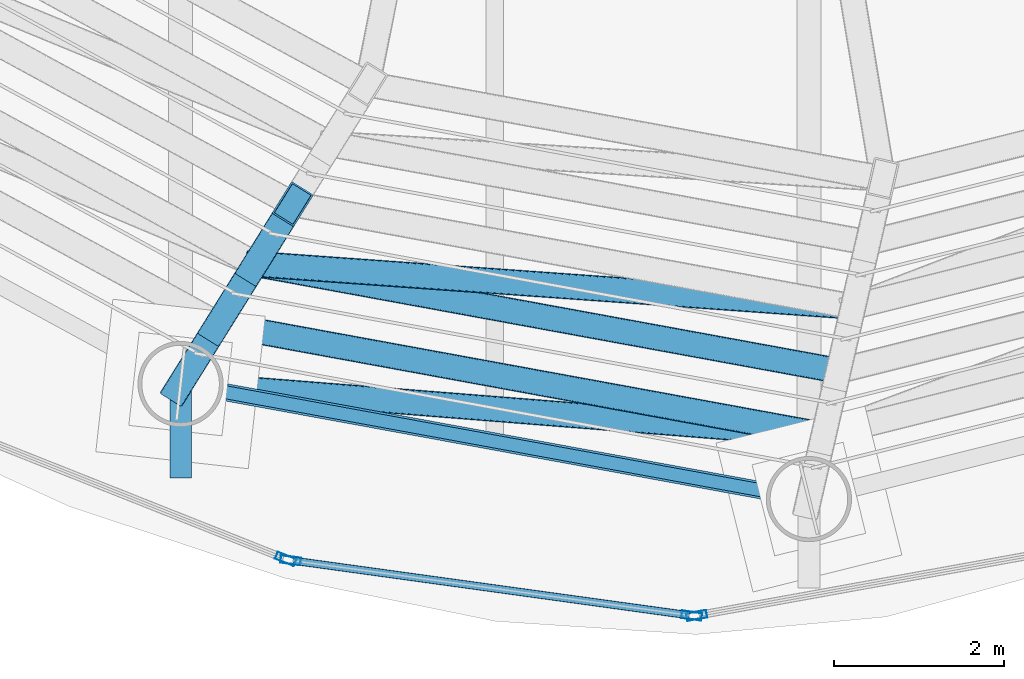
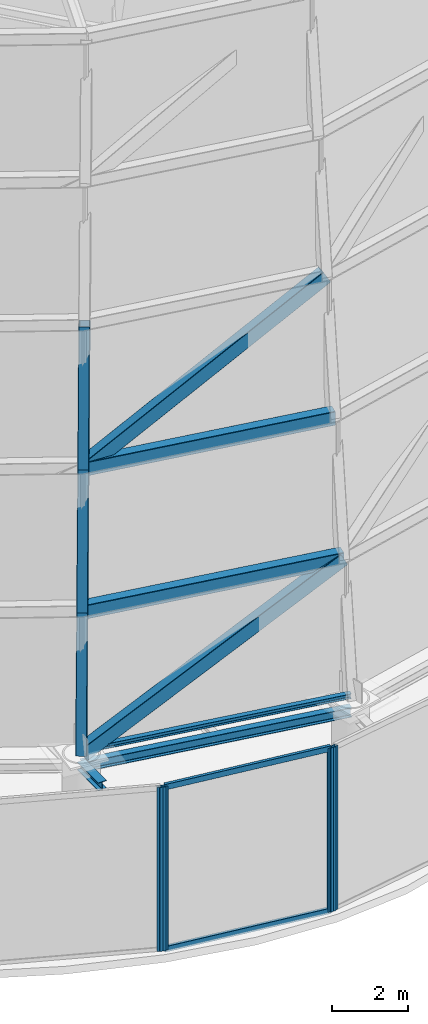
# One storey, part 7 of 40: 13 members, 3 beams, 3 elements without a shape of their own.
"""IFC4 building model written with IfcOpenShell, lengths in metres."""

from ifc_helpers import new_model, si_unit, direction, frame, origin, origin_2d, place, context, subcontext, project, spatial, hollow_rectangle, i_section, extrude, material, layer, layer_set, material_profile, profile_set, type_object, element, aggregate, save


model = new_model("IFC4")

# Units and contexts
model_context = context("Model", 3, precision=1e-05, world=origin(), true_north=direction((0.0, 1.0)))
body_context = subcontext(model_context, "Body", "Model", "MODEL_VIEW")
ifc_project = project(units=[si_unit("LENGTHUNIT", "METRE"), si_unit("AREAUNIT", "SQUARE_METRE"), si_unit("VOLUMEUNIT", "CUBIC_METRE"), si_unit("PLANEANGLEUNIT", "RADIAN"), si_unit("MASSUNIT", "GRAM", prefix="KILO")], contexts=[model_context])

# Site, building, storey
site_placement = place(None, origin())
site = spatial("IfcSite", under=ifc_project, at=site_placement, CompositionType="ELEMENT")
building_placement = place(site_placement, origin())
building = spatial("IfcBuilding", under=site, at=building_placement, Name="Bramvorn Convention Spire", CompositionType="ELEMENT")
storey_placement = place(building_placement, frame((0.0, 0.0, 312.5)))
storey = spatial("IfcBuildingStorey", under=building, at=storey_placement, Name="L79", CompositionType="ELEMENT", Elevation=312.5)

# Beams
ifc_material_1 = material(Name="Steel CSA G40.21 Grade 350 (350W)", Category="steel")
ifc_material_profile_1 = material_profile(ifc_material_1, i_section(OverallWidth=0.152099609375, OverallDepth=0.152099609375, WebThickness=0.005859375, FlangeThickness=0.006591796875, FilletRadius=0.008056640625, at=origin_2d()))
ifc_profile_set_1 = profile_set([ifc_material_profile_1], Name="Steel CSA G40.21 Grade 350 (350W) - W150X22")
beam_type_1 = type_object("IfcBeamType", Name="BM-W150X22", PredefinedType="USERDEFINED", material=ifc_profile_set_1)
beam_1_placement = place(storey_placement, frame((35.8154296875, 6.44921875, 5.60009765625), z_axis=(0.983645049461, -0.180117785547, 0.0), x_axis=(0.180117785547, 0.983645049461, 0.0)))
element("IfcBeam", 1, at=beam_1_placement, inside=storey, type_object=beam_type_1, Name="Crown spire base glazing purlin 15", ObjectType="PURLIN", PredefinedType="USERDEFINED", context=body_context, shape_type="SweptSolid", body=[
    extrude(i_section(OverallWidth=0.152099609375, OverallDepth=0.152099609375, WebThickness=0.005859375, FlangeThickness=0.006591796875, FilletRadius=0.008056640625, at=origin_2d()), origin(), (0.0, 0.0, 1.0), 7.49560546875),
])
ifc_material_profile_2 = material_profile(ifc_material_1, i_section(OverallWidth=0.25390625, OverallDepth=0.2529296875, WebThickness=0.008544921875, FlangeThickness=0.01416015625, FilletRadius=0.011962890625, at=origin_2d()))
ifc_profile_set_2 = profile_set([ifc_material_profile_2], Name="Steel CSA G40.21 Grade 350 (350W) - W250X73")
beam_type_2 = type_object("IfcBeamType", Name="BM-W250X73", PredefinedType="BEAM", material=ifc_profile_set_2)
beam_2_placement = place(storey_placement, frame((35.8154296875, 6.44921875, 5.12353515625), z_axis=(0.0, -1.0, 0.0), x_axis=(1.0, 0.0, 0.0)))
element("IfcBeam", 2, at=beam_2_placement, inside=storey, type_object=beam_type_2, Name="L79 slab-edge cantilever tip beam MC15", PredefinedType="BEAM", context=body_context, shape_type="SweptSolid", body=[
    extrude(i_section(OverallWidth=0.25390625, OverallDepth=0.2529296875, WebThickness=0.008544921875, FlangeThickness=0.01416015625, FilletRadius=0.011962890625, at=origin_2d()), origin(), (0.0, 0.0, 1.0), 1.102294921875),
])
ifc_material_profile_3 = material_profile(ifc_material_1, i_section(OverallWidth=0.202880859375, OverallDepth=0.302978515625, WebThickness=0.007568359375, FlangeThickness=0.01318359375, FilletRadius=0.013916015625, at=origin_2d()))
ifc_profile_set_3 = profile_set([ifc_material_profile_3], Name="Steel CSA G40.21 Grade 350 (350W) - W310X60")
beam_type_3 = type_object("IfcBeamType", Name="BM-W310X60", PredefinedType="JOIST", material=ifc_profile_set_3)
beam_3_placement = place(storey_placement, frame((35.8154296875, 6.44921875, 5.098388671875), z_axis=(0.983645049461, -0.180117785547, 0.0), x_axis=(0.180117785547, 0.983645049461, 0.0)))
element("IfcBeam", 3, at=beam_3_placement, inside=storey, type_object=beam_type_3, Name="L79 mega-column ring beam 15", PredefinedType="JOIST", context=body_context, shape_type="SweptSolid", body=[
    extrude(i_section(OverallWidth=0.202880859375, OverallDepth=0.302978515625, WebThickness=0.007568359375, FlangeThickness=0.01318359375, FilletRadius=0.013916015625, at=origin_2d()), origin(), (0.0, 0.0, 1.0), 7.49560546875),
])

# Curtain wall, member
ifc_material_2 = material(Name="Anodised Bronze Unitised Curtain Wall", Category="aluminium")
ifc_layer = layer(ifc_material_2, 0.199951171875)
ifc_layer_set = layer_set([ifc_layer], Name="Anodised Bronze Unitised Curtain Wall - CW-CROWN-SPIRE")
curtain_wall_type = type_object("IfcCurtainWallType", Name="CW-CROWN-SPIRE", PredefinedType="USERDEFINED", material=ifc_layer_set)
curtain_wall_1_placement = place(storey_placement, origin())
curtain_wall_1 = element("IfcCurtainWall", 4, at=curtain_wall_1_placement, inside=storey, type_object=curtain_wall_type, Name="L79 fritted glass curtain wall 22", ObjectType="UNITISED CURTAIN WALL", PredefinedType="USERDEFINED")
ifc_material_3 = material(Name="Anodised Bronze Aluminium 6063-T6", Category="aluminium")
ifc_material_profile_4 = material_profile(ifc_material_3, hollow_rectangle(XDim=0.090087890625, YDim=0.239990234375, WallThickness=0.00439453125, InnerFilletRadius=0.0009765625, OuterFilletRadius=0.00439453125, at=origin_2d()))
ifc_profile_set_4 = profile_set([ifc_material_profile_4], Name="Anodised Bronze Aluminium 6063-T6 - CWM90X240")
member_type_1 = type_object("IfcMemberType", Name="CW-MUL-220", PredefinedType="MULLION", material=ifc_profile_set_4)
member_1_placement = place(storey_placement, frame((37.04931640625, 4.3955078125, 0.0), z_axis=(0.0, 0.0, 1.0), x_axis=(-0.368739906217, -0.929532614577, 0.0)))
member_1 = element("IfcMember", 5, at=member_1_placement, type_object=member_type_1, Name="CW6 mullion 1", PredefinedType="MULLION", context=body_context, shape_type="SweptSolid", body=[
    extrude(hollow_rectangle(XDim=0.090087890625, YDim=0.239990234375, WallThickness=0.00439453125, InnerFilletRadius=0.0009765625, OuterFilletRadius=0.00439453125, at=origin_2d()), origin(), (0.0, 0.0, 1.0), 5.25),
])
aggregate(curtain_wall_1, [member_1])

# Curtain wall, members
curtain_wall_2_placement = place(storey_placement, origin())
curtain_wall_2 = element("IfcCurtainWall", 6, at=curtain_wall_2_placement, inside=storey, type_object=curtain_wall_type, Name="L79 fritted glass curtain wall 23", ObjectType="UNITISED CURTAIN WALL", PredefinedType="USERDEFINED")
member_2_placement = place(storey_placement, frame((41.81298828125, 3.731201171875, 0.0), z_axis=(0.0, 0.0, 1.0), x_axis=(-0.136635286872, -0.990621420312, 0.0)))
member_2 = element("IfcMember", 7, at=member_2_placement, type_object=member_type_1, Name="CW6 mullion 1", PredefinedType="MULLION", context=body_context, shape_type="SweptSolid", body=[
    extrude(hollow_rectangle(XDim=0.090087890625, YDim=0.239990234375, WallThickness=0.00439453125, InnerFilletRadius=0.0009765625, OuterFilletRadius=0.00439453125, at=origin_2d()), origin(), (0.0, 0.0, 1.0), 5.25),
])
member_3_placement = place(storey_placement, frame((37.10693359375, 4.38037109375, 0.0), z_axis=(0.0, 0.0, 1.0), x_axis=(-0.136635286872, -0.990621420312, 0.0)))
member_3 = element("IfcMember", 8, at=member_3_placement, type_object=member_type_1, Name="CW6 mullion 2", PredefinedType="MULLION", context=body_context, shape_type="SweptSolid", body=[
    extrude(hollow_rectangle(XDim=0.090087890625, YDim=0.239990234375, WallThickness=0.00439453125, InnerFilletRadius=0.0009765625, OuterFilletRadius=0.00439453125, at=origin_2d()), origin(), (0.0, 0.0, 1.0), 5.25),
])

# Curtain wall, member
curtain_wall_3_placement = place(storey_placement, origin())
curtain_wall_3 = element("IfcCurtainWall", 9, at=curtain_wall_3_placement, inside=storey, type_object=curtain_wall_type, Name="L79 fritted glass curtain wall 24", ObjectType="UNITISED CURTAIN WALL", PredefinedType="USERDEFINED")
member_4_placement = place(storey_placement, frame((41.872314453125, 3.732421875, 0.0), z_axis=(0.0, 0.0, 1.0), x_axis=(0.17763345328, -0.984096720996, 0.0)))
member_4 = element("IfcMember", 10, at=member_4_placement, type_object=member_type_1, Name="CW6 mullion 2", PredefinedType="MULLION", context=body_context, shape_type="SweptSolid", body=[
    extrude(hollow_rectangle(XDim=0.090087890625, YDim=0.239990234375, WallThickness=0.00439453125, InnerFilletRadius=0.0009765625, OuterFilletRadius=0.00439453125, at=origin_2d()), origin(), (0.0, 0.0, 1.0), 5.25),
])
aggregate(curtain_wall_3, [member_4])

# Member
ifc_material_profile_5 = material_profile(ifc_material_3, hollow_rectangle(XDim=0.090087890625, YDim=0.179931640625, WallThickness=0.00439453125, InnerFilletRadius=0.0009765625, OuterFilletRadius=0.00439453125, at=origin_2d()))
ifc_profile_set_5 = profile_set([ifc_material_profile_5], Name="Anodised Bronze Aluminium 6063-T6 - CWT90X180")
member_type_2 = type_object("IfcMemberType", Name="CW-TRN-180", PredefinedType="USERDEFINED", material=ifc_profile_set_5)
member_5_placement = place(storey_placement, frame((41.783203125, 3.7353515625, 0.030029296875), z_axis=(-0.990621858055, 0.136632113146, 0.0), x_axis=(-0.136632113146, -0.990621858055, 0.0)))
member_5 = element("IfcMember", 11, at=member_5_placement, type_object=member_type_2, Name="CW6 transom 1.1", ObjectType="TRANSOM", PredefinedType="USERDEFINED", context=body_context, shape_type="SweptSolid", body=[
    extrude(hollow_rectangle(XDim=0.090087890625, YDim=0.179931640625, WallThickness=0.00439453125, InnerFilletRadius=0.0009765625, OuterFilletRadius=0.00439453125, at=origin_2d()), origin(), (0.0, 0.0, 1.0), 4.6904296875),
])

member_6_placement = place(storey_placement, frame((41.783203125, 3.7353515625, 5.219970703125), z_axis=(-0.990621858055, 0.136632113146, 0.0), x_axis=(-0.136632113146, -0.990621858055, 0.0)))
member_6 = element("IfcMember", 12, at=member_6_placement, type_object=member_type_2, Name="CW6 transom 1.2", ObjectType="TRANSOM", PredefinedType="USERDEFINED", context=body_context, shape_type="SweptSolid", body=[
    extrude(hollow_rectangle(XDim=0.090087890625, YDim=0.179931640625, WallThickness=0.00439453125, InnerFilletRadius=0.0009765625, OuterFilletRadius=0.00439453125, at=origin_2d()), origin(), (0.0, 0.0, 1.0), 4.6904296875),
])

aggregate(curtain_wall_2, [member_2, member_3, member_5, member_6])

# Members
ifc_material_profile_6 = material_profile(ifc_material_1, hollow_rectangle(XDim=0.300048828125, YDim=0.449951171875, WallThickness=0.02001953125, InnerFilletRadius=0.00390625, OuterFilletRadius=0.02392578125, at=origin_2d()))
ifc_profile_set_6 = profile_set([ifc_material_profile_6], Name="Steel CSA G40.21 Grade 350 (350W) - CROWN450X300X20")
member_type_3 = type_object("IfcMemberType", Name="MBR-CROWN450X300X20", PredefinedType="USERDEFINED", material=ifc_profile_set_6)
member_7_placement = place(storey_placement, frame((35.8154296875, 6.44921875, 5.5), z_axis=(0.107395825433, 0.172299479535, 0.979172623204), x_axis=(-0.848642624295, 0.528966630544, 0.0)))
element("IfcMember", 13, at=member_7_placement, inside=storey, type_object=member_type_3, Name="Crown spire CROWN FRAME rib T1-15", ObjectType="CROWN FRAME", PredefinedType="USERDEFINED", context=body_context, shape_type="SweptSolid", body=[
    extrude(hollow_rectangle(XDim=0.300048828125, YDim=0.449951171875, WallThickness=0.02001953125, InnerFilletRadius=0.00390625, OuterFilletRadius=0.02392578125, at=origin_2d()), origin(), (0.0, 0.0, 1.0), 4.0849609375),
])
member_8_placement = place(storey_placement, frame((36.254150390625, 7.153076171875, 9.5), z_axis=(0.983644789797, -0.1801192036, 0.0), x_axis=(0.1801192036, 0.983644789797, 0.0)))
element("IfcMember", 14, at=member_8_placement, inside=storey, type_object=member_type_3, Name="Crown spire CROWN FRAME ring beam T1-15", ObjectType="CROWN FRAME", PredefinedType="USERDEFINED", context=body_context, shape_type="SweptSolid", body=[
    extrude(hollow_rectangle(XDim=0.300048828125, YDim=0.449951171875, WallThickness=0.02001953125, InnerFilletRadius=0.00390625, OuterFilletRadius=0.02392578125, at=origin_2d()), origin(), (0.0, 0.0, 1.0), 7.225830078125),
])
member_9_placement = place(storey_placement, frame((35.8154296875, 6.44921875, 5.5), z_axis=(0.881397525776, -0.069804630964, 0.467189164099), x_axis=(0.07895045836, 0.996878540809, 0.0)))
element("IfcMember", 15, at=member_9_placement, inside=storey, type_object=member_type_3, Name="Crown spire CROWN FRAME wind brace T1-15", ObjectType="CROWN FRAME", PredefinedType="USERDEFINED", context=body_context, shape_type="SweptSolid", body=[
    extrude(hollow_rectangle(XDim=0.300048828125, YDim=0.449951171875, WallThickness=0.02001953125, InnerFilletRadius=0.00390625, OuterFilletRadius=0.02392578125, at=origin_2d()), origin(), (0.0, 0.0, 1.0), 8.561767578125),
])
member_10_placement = place(storey_placement, frame((36.254150390625, 7.153076171875, 9.5), z_axis=(0.107395825433, 0.172299479535, 0.979172623204), x_axis=(-0.848642624295, 0.528966630544, 0.0)))
element("IfcMember", 16, at=member_10_placement, inside=storey, type_object=member_type_3, Name="Crown spire CROWN FRAME rib T2-15", ObjectType="CROWN FRAME", PredefinedType="USERDEFINED", context=body_context, shape_type="SweptSolid", body=[
    extrude(hollow_rectangle(XDim=0.300048828125, YDim=0.449951171875, WallThickness=0.02001953125, InnerFilletRadius=0.00390625, OuterFilletRadius=0.02392578125, at=origin_2d()), origin(), (0.0, 0.0, 1.0), 4.0849609375),
])
member_11_placement = place(storey_placement, frame((36.69287109375, 7.85693359375, 13.5), z_axis=(0.983643371242, -0.180126950266, 0.0), x_axis=(0.180126950266, 0.983643371242, 0.0)))
element("IfcMember", 17, at=member_11_placement, inside=storey, type_object=member_type_3, Name="Crown spire CROWN FRAME ring beam T2-15", ObjectType="CROWN FRAME", PredefinedType="USERDEFINED", context=body_context, shape_type="SweptSolid", body=[
    extrude(hollow_rectangle(XDim=0.300048828125, YDim=0.449951171875, WallThickness=0.02001953125, InnerFilletRadius=0.00390625, OuterFilletRadius=0.02392578125, at=origin_2d()), origin(), (0.0, 0.0, 1.0), 6.955810546875),
])
member_12_placement = place(storey_placement, frame((36.69287109375, 7.85693359375, 13.5), z_axis=(0.10733675022, 0.172300585124, 0.979178906236), x_axis=(-0.848774758082, 0.528754583945, 0.0)))
element("IfcMember", 18, at=member_12_placement, inside=storey, type_object=member_type_3, Name="Crown spire CROWN FRAME rib T3-15", ObjectType="CROWN FRAME", PredefinedType="USERDEFINED", context=body_context, shape_type="SweptSolid", body=[
    extrude(hollow_rectangle(XDim=0.300048828125, YDim=0.449951171875, WallThickness=0.02001953125, InnerFilletRadius=0.00390625, OuterFilletRadius=0.02392578125, at=origin_2d()), origin(), (0.0, 0.0, 1.0), 4.0849609375),
])
member_13_placement = place(storey_placement, frame((36.69287109375, 7.85693359375, 13.5), z_axis=(0.867040549943, -0.061858186378, 0.494382695422), x_axis=(0.071163172875, 0.997464687508, 0.0)))
element("IfcMember", 19, at=member_13_placement, inside=storey, type_object=member_type_3, Name="Crown spire CROWN FRAME wind brace T3-15", ObjectType="CROWN FRAME", PredefinedType="USERDEFINED", context=body_context, shape_type="SweptSolid", body=[
    extrude(hollow_rectangle(XDim=0.300048828125, YDim=0.449951171875, WallThickness=0.02001953125, InnerFilletRadius=0.00390625, OuterFilletRadius=0.02392578125, at=origin_2d()), origin(), (0.0, 0.0, 1.0), 8.0908203125),
])

save(model, "model.ifc")
